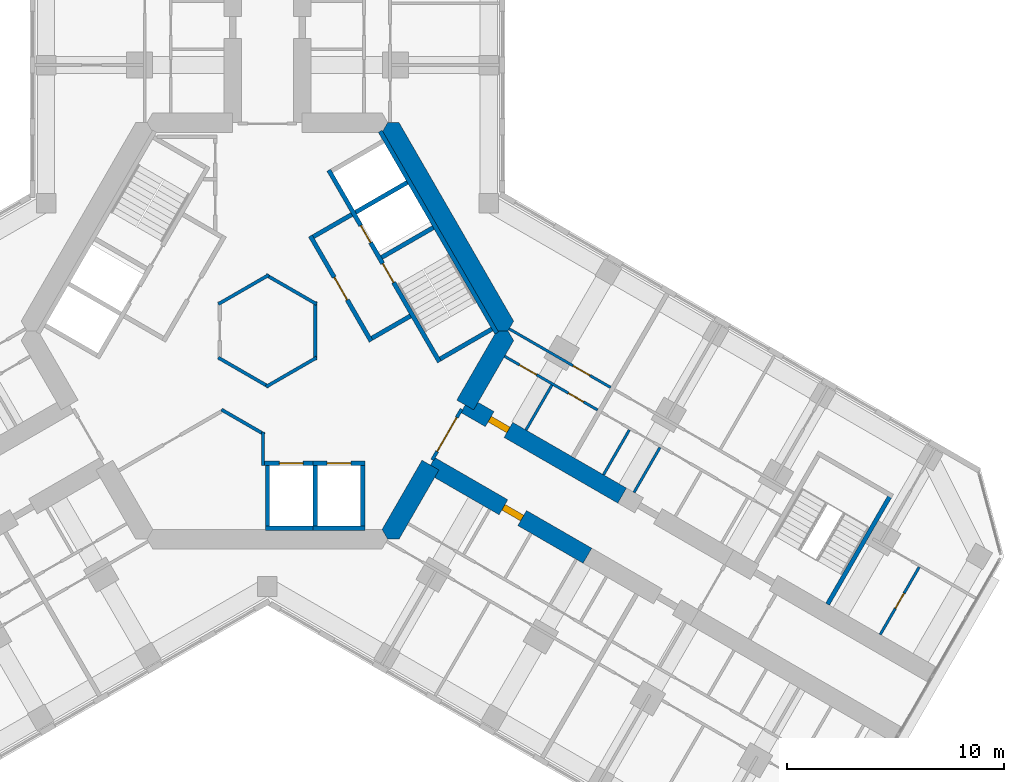
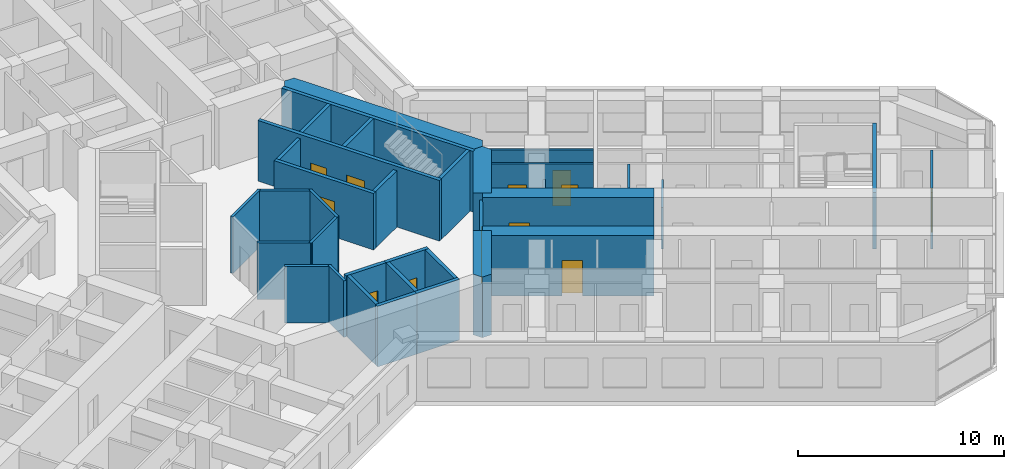
# One storey, part 15 of 20: 35 walls, 12 doors, 12 openings.
"""IFC4 building model written with IfcOpenShell, lengths in metres."""

from ifc_helpers import new_model, si_unit, direction, frame, frame_2d, origin, place, context, subcontext, project, spatial, polyline, rectangle, outline, extrude, material, layer, layer_set, type_object, element, fill, save


model = new_model("IFC4")

# Units and contexts
model_context = context("Model", 3, precision=1e-05, world=origin(), true_north=direction((0.0, 1.0)))
body_context = subcontext(model_context, "Body", "Model", "MODEL_VIEW")
ifc_project = project(units=[si_unit("LENGTHUNIT", "METRE"), si_unit("AREAUNIT", "SQUARE_METRE"), si_unit("VOLUMEUNIT", "CUBIC_METRE"), si_unit("PLANEANGLEUNIT", "RADIAN"), si_unit("MASSUNIT", "GRAM", prefix="KILO")], contexts=[model_context])

# Site, building, storey
site_placement = place(None, origin())
site = spatial("IfcSite", under=ifc_project, at=site_placement, CompositionType="ELEMENT")
building_placement = place(site_placement, origin())
building = spatial("IfcBuilding", under=site, at=building_placement, Name="Kosmar Iwan School Tower", CompositionType="ELEMENT")
storey_placement = place(building_placement, frame((0.0, 0.0, 179.60009765625)))
storey = spatial("IfcBuildingStorey", under=building, at=storey_placement, Name="L45", CompositionType="ELEMENT", Elevation=179.60009765625)

# Walls
ifc_material_1 = material(Name="Gypsum board on steel studs, fire-rated", Category="steel")
ifc_layer_1 = layer(ifc_material_1, 0.14990234375)
ifc_layer_set_1 = layer_set([ifc_layer_1], Name="Core room partition 150")
wall_type_1 = type_object("IfcWallType", Name="Core room partition 150", PredefinedType="PARTITIONING", material=ifc_layer_set_1)
wall_1_placement = place(storey_placement, frame((-2.114990234375, -3.628662109375, 0.0), z_axis=(0.0, 0.0, 1.0), x_axis=(0.866039769408, -0.499975117185, 0.0)))
element("IfcWall", 1, at=wall_1_placement, inside=storey, type_object=wall_type_1, Name="Core room partition L45-CW6", PredefinedType="PARTITIONING", context=body_context, shape_type="SweptSolid", body=[
    extrude(rectangle(XDim=2.2861328125, YDim=0.14990234375, at=frame_2d((1.14306640625, 0.0))), origin(), (0.0, 0.0, 1.0), 3.349853515625),
])
wall_2_placement = place(storey_placement, frame((-0.199951171875, -4.6591796875, 0.0), z_axis=(0.0, 0.0, 1.0), x_axis=(0.0, -1.0, 0.0)))
element("IfcWall", 2, at=wall_2_placement, inside=storey, type_object=wall_type_1, Name="Core room partition L45-CW7", PredefinedType="PARTITIONING", context=body_context, shape_type="SweptSolid", body=[
    extrude(rectangle(XDim=1.540771484375, YDim=0.14990234375, at=frame_2d((0.7705078125, 0.0))), origin(), (0.0, 0.0, 1.0), 3.349853515625),
])
for number, where, z_axis, x_axis, name in (
    (3, (2.264892578125, -1.232666015625, 0.0), (0.0, 0.0, 1.0), (-0.866011792348, -0.500023574959, 0.0), "Core room partition L45-CW8"),
    (4, (0.06494140625, -2.577880859375, 0.0), (0.0, 0.0, 1.0), (-0.866011792348, 0.500023574959, 0.0), "Core room partition L45-CW9"),
    (5, (-2.264892578125, 1.232666015625, 0.0), (0.0, 0.0, 1.0), (0.866011792348, 0.500023574959, 0.0), "Core room partition L45-CW11"),
    (6, (-0.06494140625, 2.577880859375, 0.0), (0.0, 0.0, 1.0), (0.866011792348, -0.500023574959, 0.0), "Core room partition L45-CW12"),
):
    element("IfcWall", number, at=place(storey_placement, frame(where, z_axis=z_axis, x_axis=x_axis)), inside=storey, type_object=wall_type_1, Name=name, PredefinedType="PARTITIONING", context=body_context, shape_type="SweptSolid", body=[
        extrude(rectangle(XDim=2.690185546875, YDim=0.14990234375, at=frame_2d((1.34521484375, 0.0))), origin(), (0.0, 0.0, 1.0), 3.349853515625),
    ])
wall_3_placement = place(storey_placement, frame((2.199951171875, 1.34521484375, 0.0), z_axis=(0.0, 0.0, 1.0), x_axis=(0.0, -1.0, 0.0)))
element("IfcWall", 7, at=wall_3_placement, inside=storey, type_object=wall_type_1, Name="Core room partition L45-CW13", PredefinedType="PARTITIONING", context=body_context, shape_type="SweptSolid", body=[
    extrude(rectangle(XDim=2.6904296875, YDim=0.14990234375, at=frame_2d((1.34521484375, 0.0))), origin(), (0.0, 0.0, 1.0), 3.349853515625),
])
ifc_material_2 = material(Name="Concrete C50/60", Category="concrete")
ifc_layer_2 = layer(ifc_material_2, 0.89990234375)
ifc_layer_set_2 = layer_set([ifc_layer_2], Name="Core wall 900")
wall_type_2 = type_object("IfcWallType", Name="Core wall 900", PredefinedType="SHEAR", material=ifc_layer_set_2)
wall_4_placement = place(storey_placement, origin())
element("IfcWall", 8, at=wall_4_placement, inside=storey, type_object=wall_type_2, Name="Core wall F030", PredefinedType="SHEAR", context=body_context, shape_type="SweptSolid", body=[
    extrude(outline(polyline([(10.5654296875, 0.0), (11.085205078125, 0.0), (11.344970703125, 0.449951171875), (6.062255859375, 9.60009765625), (5.54248046875, 9.60009765625), (5.28271484375, 9.14990234375), (10.5654296875, 0.0)])), origin(), (0.0, 0.0, 1.0), 3.599853515625),
])
wall_5_placement = place(storey_placement, origin())
element("IfcWall", 9, at=wall_5_placement, inside=storey, type_object=wall_type_2, Name="Core wall F330a", PredefinedType="SHEAR", context=body_context, shape_type="SweptSolid", body=[
    extrude(outline(polyline([(5.54248046875, -9.60009765625), (6.062255859375, -9.60009765625), (7.903564453125, -6.41064453125), (7.1240234375, -5.960693359375), (5.28271484375, -9.14990234375), (5.54248046875, -9.60009765625)])), origin(), (0.0, 0.0, 1.0), 3.599853515625),
])
wall_6_placement = place(storey_placement, origin())
element("IfcWall", 10, at=wall_6_placement, inside=storey, type_object=wall_type_2, Name="Core wall F330b", PredefinedType="SHEAR", context=body_context, shape_type="SweptSolid", body=[
    extrude(outline(polyline([(9.503662109375, -3.639404296875), (11.344970703125, -0.449951171875), (11.085205078125, 0.0), (10.5654296875, 0.0), (8.72412109375, -3.189453125), (9.503662109375, -3.639404296875)])), origin(), (0.0, 0.0, 1.0), 3.599853515625),
])

# Wall, opening, door
ifc_material_3 = material(Name="Concrete C50/60", Category="concrete")
ifc_layer_3 = layer(ifc_material_3, 0.800048828125)
ifc_layer_set_3 = layer_set([ifc_layer_3], Name="Corridor buttress wall 800")
wall_type_3 = type_object("IfcWallType", Name="Corridor buttress wall 800", PredefinedType="SHEAR", material=ifc_layer_set_3)
wall_7_placement = place(storey_placement, frame((9.11376953125, -3.414306640625, 0.0), z_axis=(0.0, 0.0, 1.0), x_axis=(0.866026859388, -0.499997478812, 0.0)))
wall_7 = element("IfcWall", 11, at=wall_7_placement, inside=storey, type_object=wall_type_3, Name="Corridor wall CL", PredefinedType="SHEAR", context=body_context, shape_type="SweptSolid", body=[
    extrude(rectangle(XDim=8.35009765625, YDim=0.800048828125, at=frame_2d((4.175048828125, 0.0))), origin(), (0.0, 0.0, 1.0), 3.599853515625),
])
opening_1_placement = place(wall_7_placement, frame((1.300048828125, 0.0, 0.0)))
opening_1 = element("IfcOpeningElement", 12, at=opening_1_placement, cuts=wall_7, Name="Opening D1", PredefinedType="OPENING", context=body_context, shape_type="SweptSolid", body=[
    extrude(rectangle(XDim=1.0, YDim=2.10009765625, at=frame_2d((0.5, 1.050048828125))), frame((0.0, 0.412109375, 0.0), z_axis=(0.0, -1.0, 0.0), x_axis=(1.0, 0.0, 0.0)), (0.0, 0.0, 1.0), 0.823974609375),
])
ifc_material_4 = material(Name="Timber fire door in steel frame", Category="steel")
door_type_1 = type_object("IfcDoorType", Name="Flat entrance door 1000x2100", OperationType="SINGLE_SWING_LEFT", PredefinedType="DOOR", material=ifc_material_4)
door_1_placement = place(opening_1_placement, origin())
door_1 = element("IfcDoor", 13, at=door_1_placement, inside=storey, type_object=door_type_1, Name="Flat L45-CL1 entrance door", OperationType="SINGLE_SWING_RIGHT", OverallHeight=2.10009765625, OverallWidth=1.0, PredefinedType="DOOR", context=body_context, shape_type="SweptSolid", body=[
    extrude(rectangle(XDim=1.0, YDim=2.10009765625, at=frame_2d((0.5, 1.050048828125))), frame((0.0, 0.14990234375, 0.0), z_axis=(0.0, -1.0, 0.0), x_axis=(1.0, 0.0, 0.0)), (0.0, 0.0, 1.0), 0.300048828125),
])
fill(opening_1, door_1)

wall_8_placement = place(storey_placement, frame((7.513916015625, -6.185546875, 0.0), z_axis=(0.0, 0.0, 1.0), x_axis=(0.866019549707, -0.500010139422, 0.0)))
wall_8 = element("IfcWall", 14, at=wall_8_placement, inside=storey, type_object=wall_type_3, Name="Corridor wall CR", PredefinedType="SHEAR", context=body_context, shape_type="SweptSolid", body=[
    extrude(rectangle(XDim=8.349853515625, YDim=0.800048828125, at=frame_2d((4.1748046875, 0.0))), origin(), (0.0, 0.0, 1.0), 3.599853515625),
])
opening_2_placement = place(wall_8_placement, frame((3.8798828125, 0.0, 0.0)))
opening_2 = element("IfcOpeningElement", 15, at=opening_2_placement, cuts=wall_8, Name="Opening D1", PredefinedType="OPENING", context=body_context, shape_type="SweptSolid", body=[
    extrude(rectangle(XDim=1.0, YDim=2.10009765625, at=frame_2d((0.5, 1.050048828125))), frame((0.0, 0.412109375, 0.0), z_axis=(0.0, -1.0, 0.0), x_axis=(1.0, 0.0, 0.0)), (0.0, 0.0, 1.0), 0.823974609375),
])
door_2_placement = place(opening_2_placement, origin())
door_2 = element("IfcDoor", 16, at=door_2_placement, inside=storey, type_object=door_type_1, Name="Flat L45-CR1 entrance door", OperationType="SINGLE_SWING_RIGHT", OverallHeight=2.10009765625, OverallWidth=1.0, PredefinedType="DOOR", context=body_context, shape_type="SweptSolid", body=[
    extrude(rectangle(XDim=1.0, YDim=2.10009765625, at=frame_2d((0.5, 1.050048828125))), frame((0.0, 0.14990234375, 0.0), z_axis=(0.0, -1.0, 0.0), x_axis=(1.0, 0.0, 0.0)), (0.0, 0.0, 1.0), 0.300048828125),
])
fill(opening_2, door_2)

ifc_material_5 = material(Name="Steel framed glazed screen", Category="steel")
ifc_layer_4 = layer(ifc_material_5, 0.14990234375)
ifc_layer_set_4 = layer_set([ifc_layer_4], Name="Corridor screen wall 150")
wall_type_4 = type_object("IfcWallType", Name="Corridor screen wall 150", PredefinedType="PARTITIONING", material=ifc_layer_set_4)
wall_9_placement = place(storey_placement, frame((7.595458984375, -5.944091796875, 0.0), z_axis=(0.0, 0.0, 1.0), x_axis=(0.500048589285, 0.86599734893, 0.0)))
wall_9 = element("IfcWall", 17, at=wall_9_placement, inside=storey, type_object=wall_type_4, Name="Corridor screen C L45", PredefinedType="PARTITIONING", context=body_context, shape_type="SweptSolid", body=[
    extrude(rectangle(XDim=2.699951171875, YDim=0.14990234375, at=frame_2d((1.35009765625, 0.0))), origin(), (0.0, 0.0, 1.0), 3.349853515625),
])
opening_3_placement = place(wall_9_placement, frame((0.449951171875, 0.0, 0.0)))
opening_3 = element("IfcOpeningElement", 18, at=opening_3_placement, cuts=wall_9, Name="Opening D9", PredefinedType="OPENING", context=body_context, shape_type="SweptSolid", body=[
    extrude(rectangle(XDim=1.800048828125, YDim=2.10009765625, at=frame_2d((0.89990234375, 1.050048828125))), frame((0.0, 0.0869140625, 0.0), z_axis=(0.0, -1.0, 0.0), x_axis=(1.0, 0.0, 0.0)), (0.0, 0.0, 1.0), 0.173828125),
])
ifc_material_6 = material(Name="Steel framed glazed smoke door", Category="steel")
door_type_2 = type_object("IfcDoorType", Name="Corridor smoke door pair 1800x2100", OperationType="DOUBLE_DOOR_DOUBLE_SWING", PredefinedType="DOOR", material=ifc_material_6)
door_3_placement = place(opening_3_placement, origin())
door_3 = element("IfcDoor", 19, at=door_3_placement, inside=storey, type_object=door_type_2, Name="Corridor doors C L45", OperationType="DOUBLE_DOOR_DOUBLE_SWING", OverallHeight=2.10009765625, OverallWidth=1.800048828125, PredefinedType="DOOR", context=body_context, shape_type="SweptSolid", body=[
    extrude(rectangle(XDim=1.800048828125, YDim=2.10009765625, at=frame_2d((0.89990234375, 1.050048828125))), frame((0.0, 0.02490234375, 0.0), z_axis=(0.0, -1.0, 0.0), x_axis=(1.0, 0.0, 0.0)), (0.0, 0.0, 1.0), 0.050048828125),
])
fill(opening_3, door_3)

# Wall, openings, doors
ifc_material_7 = material(Name="Gypsum board on steel studs", Category="steel")
ifc_layer_5 = layer(ifc_material_7, 0.1201171875)
ifc_layer_set_5 = layer_set([ifc_layer_5], Name="Dwelling partition 120")
wall_type_5 = type_object("IfcWallType", Name="Dwelling partition 120", PredefinedType="PARTITIONING", material=ifc_layer_set_5)
wall_10_placement = place(storey_placement, frame((10.928466796875, -1.171142578125, 0.0), z_axis=(0.0, 0.0, 1.0), x_axis=(0.866018855338, -0.500011342071, 0.0)))
wall_10 = element("IfcWall", 20, at=wall_10_placement, inside=storey, type_object=wall_type_5, Name="Partition L45-CL1-W1", PredefinedType="PARTITIONING", context=body_context, shape_type="SweptSolid", body=[
    extrude(rectangle(XDim=4.9501953125, YDim=0.1201171875, at=frame_2d((2.47509765625, 0.0))), origin(), (0.0, 0.0, 1.0), 3.349853515625),
])
opening_4_placement = place(wall_10_placement, frame((0.800048828125, 0.0, 0.0)))
opening_4 = element("IfcOpeningElement", 21, at=opening_4_placement, cuts=wall_10, Name="Opening D2", PredefinedType="OPENING", context=body_context, shape_type="SweptSolid", body=[
    extrude(rectangle(XDim=0.89990234375, YDim=2.10009765625, at=frame_2d((0.449951171875, 1.050048828125))), frame((0.0, 0.072021484375, 0.0), z_axis=(0.0, -1.0, 0.0), x_axis=(1.0, 0.0, 0.0)), (0.0, 0.0, 1.0), 0.14404296875),
])
opening_5_placement = place(wall_10_placement, frame((3.39990234375, 0.0, 0.0)))
opening_5 = element("IfcOpeningElement", 22, at=opening_5_placement, cuts=wall_10, Name="Opening D3", PredefinedType="OPENING", context=body_context, shape_type="SweptSolid", body=[
    extrude(rectangle(XDim=0.800048828125, YDim=2.10009765625, at=frame_2d((0.39990234375, 1.050048828125))), frame((0.0, 0.072021484375, 0.0), z_axis=(0.0, -1.0, 0.0), x_axis=(1.0, 0.0, 0.0)), (0.0, 0.0, 1.0), 0.14404296875),
])
ifc_material_8 = material(Name="Timber door in timber frame", Category="wood")
door_type_3 = type_object("IfcDoorType", Name="Internal door 900x2100", OperationType="SINGLE_SWING_LEFT", PredefinedType="DOOR", material=ifc_material_8)
door_4_placement = place(opening_4_placement, origin())
door_4 = element("IfcDoor", 23, at=door_4_placement, inside=storey, type_object=door_type_3, Name="Entrance hall door L45-CL1-S1", OperationType="SINGLE_SWING_LEFT", OverallHeight=2.10009765625, OverallWidth=0.89990234375, PredefinedType="DOOR", context=body_context, shape_type="SweptSolid", body=[
    extrude(rectangle(XDim=0.89990234375, YDim=2.10009765625, at=frame_2d((0.449951171875, 1.050048828125))), frame((0.0, 0.02490234375, 0.0), z_axis=(0.0, -1.0, 0.0), x_axis=(1.0, 0.0, 0.0)), (0.0, 0.0, 1.0), 0.050048828125),
])
fill(opening_4, door_4)
ifc_material_9 = material(Name="Timber door in timber frame", Category="wood")
door_type_4 = type_object("IfcDoorType", Name="Sanitary room door 800x2100", OperationType="SINGLE_SWING_LEFT", PredefinedType="DOOR", material=ifc_material_9)
door_5_placement = place(opening_5_placement, origin())
door_5 = element("IfcDoor", 24, at=door_5_placement, inside=storey, type_object=door_type_4, Name="Bathroom door L45-CL1-S2", OperationType="SINGLE_SWING_RIGHT", OverallHeight=2.10009765625, OverallWidth=0.800048828125, PredefinedType="DOOR", context=body_context, shape_type="SweptSolid", body=[
    extrude(rectangle(XDim=0.800048828125, YDim=2.10009765625, at=frame_2d((0.39990234375, 1.050048828125))), frame((0.0, 0.02490234375, 0.0), z_axis=(0.0, -1.0, 0.0), x_axis=(1.0, 0.0, 0.0)), (0.0, 0.0, 1.0), 0.050048828125),
])
fill(opening_5, door_5)

# Wall, opening, door
wall_11_placement = place(storey_placement, frame((11.138916015625, 0.093017578125, 0.0), z_axis=(0.0, 0.0, 1.0), x_axis=(0.866028230842, -0.499995103361, 0.0)))
wall_11 = element("IfcWall", 25, at=wall_11_placement, inside=storey, type_object=wall_type_5, Name="Partition L45-CL1-W2", PredefinedType="PARTITIONING", context=body_context, shape_type="SweptSolid", body=[
    extrude(rectangle(XDim=5.39990234375, YDim=0.1201171875, at=frame_2d((2.699951171875, 0.0))), origin(), (0.0, 0.0, 1.0), 3.349853515625),
])
opening_6_placement = place(wall_11_placement, frame((3.39990234375, 0.0, 0.0)))
opening_6 = element("IfcOpeningElement", 26, at=opening_6_placement, cuts=wall_11, Name="Opening D2", PredefinedType="OPENING", context=body_context, shape_type="SweptSolid", body=[
    extrude(rectangle(XDim=0.89990234375, YDim=2.10009765625, at=frame_2d((0.449951171875, 1.050048828125))), frame((0.0, 0.072021484375, 0.0), z_axis=(0.0, -1.0, 0.0), x_axis=(1.0, 0.0, 0.0)), (0.0, 0.0, 1.0), 0.14404296875),
])
door_6_placement = place(opening_6_placement, origin())
door_6 = element("IfcDoor", 27, at=door_6_placement, inside=storey, type_object=door_type_3, Name="Studio living room and kitchen door L45-CL1-F1", OperationType="SINGLE_SWING_RIGHT", OverallHeight=2.10009765625, OverallWidth=0.89990234375, PredefinedType="DOOR", context=body_context, shape_type="SweptSolid", body=[
    extrude(rectangle(XDim=0.89990234375, YDim=2.10009765625, at=frame_2d((0.449951171875, 1.050048828125))), frame((0.0, 0.02490234375, 0.0), z_axis=(0.0, -1.0, 0.0), x_axis=(1.0, 0.0, 0.0)), (0.0, 0.0, 1.0), 0.050048828125),
])
fill(opening_6, door_6)

# Walls
wall_12_placement = place(storey_placement, frame((11.911865234375, -4.56787109375, 0.0), z_axis=(0.0, 0.0, 1.0), x_axis=(0.500017192868, 0.86601547725, 0.0)))
element("IfcWall", 28, at=wall_12_placement, inside=storey, type_object=wall_type_5, Name="Partition L45-CL1-Y1", PredefinedType="PARTITIONING", context=body_context, shape_type="SweptSolid", body=[
    extrude(rectangle(XDim=2.39013671875, YDim=0.1201171875, at=frame_2d((1.195068359375, 0.0))), origin(), (0.0, 0.0, 1.0), 2.449951171875),
])
wall_13_placement = place(storey_placement, frame((15.484375, -6.63037109375, 0.0), z_axis=(0.0, 0.0, 1.0), x_axis=(0.499940577336, 0.866059708757, 0.0)))
element("IfcWall", 29, at=wall_13_placement, inside=storey, type_object=wall_type_5, Name="Partition L45-CL2-Y1", PredefinedType="PARTITIONING", context=body_context, shape_type="SweptSolid", body=[
    extrude(rectangle(XDim=2.389892578125, YDim=0.1201171875, at=frame_2d((1.19482421875, 0.0))), origin(), (0.0, 0.0, 1.0), 3.349853515625),
])
wall_14_placement = place(storey_placement, frame((16.8916015625, -7.44287109375, 0.0), z_axis=(0.0, 0.0, 1.0), x_axis=(0.500017192868, 0.86601547725, 0.0)))
element("IfcWall", 30, at=wall_14_placement, inside=storey, type_object=wall_type_5, Name="Partition L45-CL2-Y2", PredefinedType="PARTITIONING", context=body_context, shape_type="SweptSolid", body=[
    extrude(rectangle(XDim=2.39013671875, YDim=0.1201171875, at=frame_2d((1.195068359375, 0.0))), origin(), (0.0, 0.0, 1.0), 2.449951171875),
])

# Wall, opening, door
wall_15_placement = place(storey_placement, frame((28.236572265625, -13.992919921875, 0.0), z_axis=(0.0, 0.0, 1.0), x_axis=(0.499971658126, 0.866041766355, 0.0)))
wall_15 = element("IfcWall", 31, at=wall_15_placement, inside=storey, type_object=wall_type_5, Name="Partition L45-CL2-TY", PredefinedType="PARTITIONING", context=body_context, shape_type="SweptSolid", body=[
    extrude(rectangle(XDim=3.590087890625, YDim=0.1201171875, at=frame_2d((1.794921875, 0.0))), origin(), (0.0, 0.0, 1.0), 3.349853515625),
])
opening_7_placement = place(wall_15_placement, frame((1.39501953125, 0.0, 0.0)))
opening_7 = element("IfcOpeningElement", 32, at=opening_7_placement, cuts=wall_15, Name="Opening D3", PredefinedType="OPENING", context=body_context, shape_type="SweptSolid", body=[
    extrude(rectangle(XDim=0.800048828125, YDim=2.10009765625, at=frame_2d((0.39990234375, 1.050048828125))), frame((0.0, 0.072021484375, 0.0), z_axis=(0.0, -1.0, 0.0), x_axis=(1.0, 0.0, 0.0)), (0.0, 0.0, 1.0), 0.14404296875),
])
door_7_placement = place(opening_7_placement, origin())
door_7 = element("IfcDoor", 33, at=door_7_placement, inside=storey, type_object=door_type_4, Name="Shower room door L45-CL2-T4", OperationType="SINGLE_SWING_LEFT", OverallHeight=2.10009765625, OverallWidth=0.800048828125, PredefinedType="DOOR", context=body_context, shape_type="SweptSolid", body=[
    extrude(rectangle(XDim=0.800048828125, YDim=2.10009765625, at=frame_2d((0.39990234375, 1.050048828125))), frame((0.0, 0.02490234375, 0.0), z_axis=(0.0, -1.0, 0.0), x_axis=(1.0, 0.0, 0.0)), (0.0, 0.0, 1.0), 0.050048828125),
])
fill(opening_7, door_7)

# Wall
ifc_material_10 = material(Name="Concrete C35/45", Category="concrete")
ifc_layer_6 = layer(ifc_material_10, 0.199951171875)
ifc_layer_set_6 = layer_set([ifc_layer_6], Name="Escape stair wall 200")
wall_type_6 = type_object("IfcWallType", Name="Escape stair wall 200", PredefinedType="SHEAR", material=ifc_layer_set_6)
wall_16_placement = place(storey_placement, frame((25.8115234375, -12.593017578125, 0.0), z_axis=(0.0, 0.0, 1.0), x_axis=(0.500019744199, 0.866014004166, 0.0)))
element("IfcWall", 34, at=wall_16_placement, inside=storey, type_object=wall_type_6, Name="Stair WS3 wall", PredefinedType="SHEAR", context=body_context, shape_type="SweptSolid", body=[
    extrude(rectangle(XDim=5.900146484375, YDim=0.199951171875, at=frame_2d((2.9501953125, 0.0))), origin(), (0.0, 0.0, 1.0), 3.329833984375),
])

# Wall, opening, door
ifc_material_11 = material(Name="Concrete block masonry", Category="masonry")
ifc_layer_7 = layer(ifc_material_11, 0.199951171875)
ifc_layer_set_7 = layer_set([ifc_layer_7], Name="Fire lobby wall 200")
wall_type_7 = type_object("IfcWallType", Name="Fire lobby wall 200", PredefinedType="PARTITIONING", material=ifc_layer_set_7)
wall_17_placement = place(storey_placement, frame((4.777587890625, -0.474853515625, 0.0), z_axis=(0.0, 0.0, 1.0), x_axis=(-0.500016814911, 0.866015695474, 0.0)))
wall_17 = element("IfcWall", 35, at=wall_17_placement, inside=storey, type_object=wall_type_7, Name="Firefighting lobby wall ST1", PredefinedType="PARTITIONING", context=body_context, shape_type="SweptSolid", body=[
    extrude(rectangle(XDim=5.599853515625, YDim=0.199951171875, at=frame_2d((2.7998046875, 0.0))), origin(), (0.0, 0.0, 1.0), 3.349853515625),
])
opening_8_placement = place(wall_17_placement, frame((2.199951171875, 0.0, 0.0)))
opening_8 = element("IfcOpeningElement", 36, at=opening_8_placement, cuts=wall_17, Name="Opening D7", PredefinedType="OPENING", context=body_context, shape_type="SweptSolid", body=[
    extrude(rectangle(XDim=1.199951171875, YDim=2.10009765625, at=frame_2d((0.60009765625, 1.050048828125))), frame((0.0, 0.112060546875, 0.0), z_axis=(0.0, -1.0, 0.0), x_axis=(1.0, 0.0, 0.0)), (0.0, 0.0, 1.0), 0.223876953125),
])
ifc_material_12 = material(Name="Steel fire door", Category="steel")
door_type_5 = type_object("IfcDoorType", Name="Fire lobby door 1200x2100", OperationType="SINGLE_SWING_LEFT", PredefinedType="DOOR", material=ifc_material_12)
door_8_placement = place(opening_8_placement, origin())
door_8 = element("IfcDoor", 37, at=door_8_placement, inside=storey, type_object=door_type_5, Name="Firefighting lobby door ST1 L45", OperationType="SINGLE_SWING_LEFT", OverallHeight=2.10009765625, OverallWidth=1.199951171875, PredefinedType="DOOR", context=body_context, shape_type="SweptSolid", body=[
    extrude(rectangle(XDim=1.199951171875, YDim=2.10009765625, at=frame_2d((0.60009765625, 1.050048828125))), frame((0.0, 0.02490234375, 0.0), z_axis=(0.0, -1.0, 0.0), x_axis=(1.0, 0.0, 0.0)), (0.0, 0.0, 1.0), 0.050048828125),
])
fill(opening_8, door_8)

# Walls
wall_18_placement = place(storey_placement, frame((4.814208984375, -0.33837890625, 0.0), z_axis=(0.0, 0.0, 1.0), x_axis=(0.865969381856, 0.500097020274, 0.0)))
element("IfcWall", 38, at=wall_18_placement, inside=storey, type_object=wall_type_7, Name="Firefighting lobby wall ST1", PredefinedType="PARTITIONING", context=body_context, shape_type="SweptSolid", body=[
    extrude(rectangle(XDim=2.0498046875, YDim=0.199951171875, at=frame_2d((1.02490234375, 0.0))), origin(), (0.0, 0.0, 1.0), 3.349853515625),
])
wall_19_placement = place(storey_placement, frame((2.114013671875, 4.33837890625, 0.0), z_axis=(0.0, 0.0, 1.0), x_axis=(0.866050731258, 0.499956128963, 0.0)))
element("IfcWall", 39, at=wall_19_placement, inside=storey, type_object=wall_type_7, Name="Firefighting lobby wall ST1", PredefinedType="PARTITIONING", context=body_context, shape_type="SweptSolid", body=[
    extrude(rectangle(XDim=2.050048828125, YDim=0.199951171875, at=frame_2d((1.02490234375, 0.0))), origin(), (0.0, 0.0, 1.0), 3.349853515625),
])

# Wall, openings, doors
ifc_material_13 = material(Name="Concrete C50/60", Category="concrete")
ifc_layer_8 = layer(ifc_material_13, 0.199951171875)
ifc_layer_set_8 = layer_set([ifc_layer_8], Name="Lift shaft wall 200")
wall_type_8 = type_object("IfcWallType", Name="Lift shaft wall 200", PredefinedType="SHEAR", material=ifc_layer_set_8)
wall_20_placement = place(storey_placement, frame((7.926025390625, -1.42822265625, 0.0), z_axis=(0.0, 0.0, 1.0), x_axis=(-0.499998023675, 0.866026544813, 0.0)))
wall_20 = element("IfcWall", 40, at=wall_20_placement, inside=storey, type_object=wall_type_8, Name="Lift and stair front wall AC", PredefinedType="SHEAR", context=body_context, shape_type="SweptSolid", body=[
    extrude(rectangle(XDim=10.19970703125, YDim=0.199951171875, at=frame_2d((5.099853515625, 0.0))), origin(), (0.0, 0.0, 1.0), 3.599853515625),
])
opening_9_placement = place(wall_20_placement, frame((6.35009765625, 0.0, 0.0)))
opening_9 = element("IfcOpeningElement", 41, at=opening_9_placement, cuts=wall_20, Name="Opening LD2", PredefinedType="OPENING", context=body_context, shape_type="SweptSolid", body=[
    extrude(rectangle(XDim=0.89990234375, YDim=2.10009765625, at=frame_2d((0.449951171875, 1.050048828125))), frame((0.0, 0.112060546875, 0.0), z_axis=(0.0, -1.0, 0.0), x_axis=(1.0, 0.0, 0.0)), (0.0, 0.0, 1.0), 0.223876953125),
])
opening_10_placement = place(wall_20_placement, frame((4.22998046875, 0.0, 0.0)))
opening_10 = element("IfcOpeningElement", 42, at=opening_10_placement, cuts=wall_20, Name="Opening D6", PredefinedType="OPENING", context=body_context, shape_type="SweptSolid", body=[
    extrude(rectangle(XDim=1.0, YDim=2.10009765625, at=frame_2d((0.5, 1.050048828125))), frame((0.0, 0.112060546875, 0.0), z_axis=(0.0, -1.0, 0.0), x_axis=(1.0, 0.0, 0.0)), (0.0, 0.0, 1.0), 0.223876953125),
])
ifc_material_14 = material(Name="Stainless steel sliding lift door", Category="steel")
door_type_6 = type_object("IfcDoorType", Name="Firefighting lift landing door 900x2100", OperationType="SLIDING_TO_LEFT", PredefinedType="DOOR", material=ifc_material_14)
door_9_placement = place(opening_9_placement, origin())
door_9 = element("IfcDoor", 43, at=door_9_placement, inside=storey, type_object=door_type_6, Name="Lift FF1 landing door L45", OperationType="SLIDING_TO_LEFT", OverallHeight=2.10009765625, OverallWidth=0.89990234375, PredefinedType="DOOR", context=body_context, shape_type="SweptSolid", body=[
    extrude(rectangle(XDim=0.89990234375, YDim=2.10009765625, at=frame_2d((0.449951171875, 1.050048828125))), frame((0.0, 0.02490234375, 0.0), z_axis=(0.0, -1.0, 0.0), x_axis=(1.0, 0.0, 0.0)), (0.0, 0.0, 1.0), 0.050048828125),
])
fill(opening_9, door_9)
ifc_material_15 = material(Name="Steel fire door", Category="steel")
door_type_7 = type_object("IfcDoorType", Name="Stair door 1000x2100", OperationType="SINGLE_SWING_LEFT", PredefinedType="DOOR", material=ifc_material_15)
door_10_placement = place(opening_10_placement, origin())
door_10 = element("IfcDoor", 44, at=door_10_placement, inside=storey, type_object=door_type_7, Name="Stair ST1 door L45", OperationType="SINGLE_SWING_LEFT", OverallHeight=2.10009765625, OverallWidth=1.0, PredefinedType="DOOR", context=body_context, shape_type="SweptSolid", body=[
    extrude(rectangle(XDim=1.0, YDim=2.10009765625, at=frame_2d((0.5, 1.050048828125))), frame((0.0, 0.02490234375, 0.0), z_axis=(0.0, -1.0, 0.0), x_axis=(1.0, 0.0, 0.0)), (0.0, 0.0, 1.0), 0.050048828125),
])
fill(opening_10, door_10)

# Walls
wall_21_placement = place(storey_placement, frame((10.5654296875, -0.10009765625, 0.0), z_axis=(0.0, 0.0, 1.0), x_axis=(-0.499999935134, 0.866025441235, 0.0)))
element("IfcWall", 45, at=wall_21_placement, inside=storey, type_object=wall_type_8, Name="Lift and stair back wall AC", PredefinedType="SHEAR", context=body_context, shape_type="SweptSolid", body=[
    extrude(rectangle(XDim=10.73876953125, YDim=0.199951171875, at=frame_2d((5.369384765625, 0.0))), origin(), (0.0, 0.0, 1.0), 3.599853515625),
])
wall_22_placement = place(storey_placement, frame((4.062744140625, 5.46337890625, 0.0), z_axis=(0.0, 0.0, 1.0), x_axis=(0.866027397988, 0.499996545922, 0.0)))
element("IfcWall", 46, at=wall_22_placement, inside=storey, type_object=wall_type_8, Name="Lift shaft wall AC 1", PredefinedType="SHEAR", context=body_context, shape_type="SweptSolid", body=[
    extrude(rectangle(XDim=2.75, YDim=0.199951171875, at=frame_2d((1.375, 0.0))), origin(), (0.0, 0.0, 1.0), 3.599853515625),
])

# Wall, opening, door
wall_23_placement = place(storey_placement, frame((-0.125, -6.10009765625, 0.0), z_axis=(0.0, 0.0, 1.0), x_axis=(1.0, 0.0, 0.0)))
wall_23 = element("IfcWall", 47, at=wall_23_placement, inside=storey, type_object=wall_type_8, Name="Lift and stair front wall BC", PredefinedType="SHEAR", context=body_context, shape_type="SweptSolid", body=[
    extrude(rectangle(XDim=2.22509765625, YDim=0.199951171875, at=frame_2d((1.112548828125, 0.0))), origin(), (0.0, 0.0, 1.0), 3.599853515625),
])
opening_11_placement = place(wall_23_placement, frame((0.675048828125, 0.0, 0.0)))
opening_11 = element("IfcOpeningElement", 48, at=opening_11_placement, cuts=wall_23, Name="Opening LD1", PredefinedType="OPENING", context=body_context, shape_type="SweptSolid", body=[
    extrude(rectangle(XDim=1.10009765625, YDim=2.10009765625, at=frame_2d((0.550048828125, 1.050048828125))), frame((0.0, 0.112060546875, 0.0), z_axis=(0.0, -1.0, 0.0), x_axis=(1.0, 0.0, 0.0)), (0.0, 0.0, 1.0), 0.223876953125),
])
ifc_material_16 = material(Name="Stainless steel sliding lift door", Category="steel")
door_type_8 = type_object("IfcDoorType", Name="Lift landing door 1100x2100", OperationType="SLIDING_TO_LEFT", PredefinedType="DOOR", material=ifc_material_16)
door_11_placement = place(opening_11_placement, origin())
door_11 = element("IfcDoor", 49, at=door_11_placement, inside=storey, type_object=door_type_8, Name="Lift PL3 landing door L45", OperationType="SLIDING_TO_LEFT", OverallHeight=2.10009765625, OverallWidth=1.10009765625, PredefinedType="DOOR", context=body_context, shape_type="SweptSolid", body=[
    extrude(rectangle(XDim=1.10009765625, YDim=2.10009765625, at=frame_2d((0.550048828125, 1.050048828125))), frame((0.0, 0.02490234375, 0.0), z_axis=(0.0, -1.0, 0.0), x_axis=(1.0, 0.0, 0.0)), (0.0, 0.0, 1.0), 0.050048828125),
])
fill(opening_11, door_11)

# Wall
wall_24_placement = place(storey_placement, frame((-0.10009765625, -9.10009765625, 0.0), z_axis=(0.0, 0.0, 1.0), x_axis=(1.0, 0.0, 0.0)))
element("IfcWall", 50, at=wall_24_placement, inside=storey, type_object=wall_type_8, Name="Lift and stair back wall BC", PredefinedType="SHEAR", context=body_context, shape_type="SweptSolid", body=[
    extrude(rectangle(XDim=2.2001953125, YDim=0.199951171875, at=frame_2d((1.10009765625, 0.0))), origin(), (0.0, 0.0, 1.0), 3.599853515625),
])

# Wall, opening, door
wall_25_placement = place(storey_placement, frame((2.10009765625, -6.10009765625, 0.0), z_axis=(0.0, 0.0, 1.0), x_axis=(1.0, 0.0, 0.0)))
wall_25 = element("IfcWall", 51, at=wall_25_placement, inside=storey, type_object=wall_type_8, Name="Lift and stair front wall BC", PredefinedType="SHEAR", context=body_context, shape_type="SweptSolid", body=[
    extrude(rectangle(XDim=2.39990234375, YDim=0.199951171875, at=frame_2d((1.199951171875, 0.0))), origin(), (0.0, 0.0, 1.0), 3.599853515625),
])
opening_12_placement = place(wall_25_placement, frame((0.64990234375, 0.0, 0.0)))
opening_12 = element("IfcOpeningElement", 52, at=opening_12_placement, cuts=wall_25, Name="Opening LD1", PredefinedType="OPENING", context=body_context, shape_type="SweptSolid", body=[
    extrude(rectangle(XDim=1.10009765625, YDim=2.10009765625, at=frame_2d((0.550048828125, 1.050048828125))), frame((0.0, 0.112060546875, 0.0), z_axis=(0.0, -1.0, 0.0), x_axis=(1.0, 0.0, 0.0)), (0.0, 0.0, 1.0), 0.223876953125),
])
door_12_placement = place(opening_12_placement, origin())
door_12 = element("IfcDoor", 53, at=door_12_placement, inside=storey, type_object=door_type_8, Name="Lift PL4 landing door L45", OperationType="SLIDING_TO_LEFT", OverallHeight=2.10009765625, OverallWidth=1.10009765625, PredefinedType="DOOR", context=body_context, shape_type="SweptSolid", body=[
    extrude(rectangle(XDim=1.10009765625, YDim=2.10009765625, at=frame_2d((0.550048828125, 1.050048828125))), frame((0.0, 0.02490234375, 0.0), z_axis=(0.0, -1.0, 0.0), x_axis=(1.0, 0.0, 0.0)), (0.0, 0.0, 1.0), 0.050048828125),
])
fill(opening_12, door_12)

# Walls
wall_26_placement = place(storey_placement, frame((2.10009765625, -9.10009765625, 0.0), z_axis=(0.0, 0.0, 1.0), x_axis=(1.0, 0.0, 0.0)))
element("IfcWall", 54, at=wall_26_placement, inside=storey, type_object=wall_type_8, Name="Lift and stair back wall BC", PredefinedType="SHEAR", context=body_context, shape_type="SweptSolid", body=[
    extrude(rectangle(XDim=2.39990234375, YDim=0.199951171875, at=frame_2d((1.199951171875, 0.0))), origin(), (0.0, 0.0, 1.0), 3.599853515625),
])
for number, where, z_axis, x_axis, name in (
    (55, (0.0, -6.199951171875, 0.0), (0.0, 0.0, 1.0), (0.0, -1.0, 0.0), "Lift shaft wall BC 0"),
    (56, (2.199951171875, -6.199951171875, 0.0), (0.0, 0.0, 1.0), (0.0, -1.0, 0.0), "Lift shaft wall BC 1"),
    (57, (4.39990234375, -6.199951171875, 0.0), (0.0, 0.0, 1.0), (0.0, -1.0, 0.0), "Lift shaft wall BC 2"),
):
    element("IfcWall", number, at=place(storey_placement, frame(where, z_axis=z_axis, x_axis=x_axis)), inside=storey, type_object=wall_type_8, Name=name, PredefinedType="SHEAR", context=body_context, shape_type="SweptSolid", body=[
        extrude(rectangle(XDim=2.800048828125, YDim=0.199951171875, at=frame_2d((1.39990234375, 0.0))), origin(), (0.0, 0.0, 1.0), 3.599853515625),
    ])
ifc_material_17 = material(Name="Concrete C50/60", Category="concrete")
ifc_layer_9 = layer(ifc_material_17, 0.199951171875)
ifc_layer_set_9 = layer_set([ifc_layer_9], Name="Stair enclosure wall 200")
wall_type_9 = type_object("IfcWallType", Name="Stair enclosure wall 200", PredefinedType="SHEAR", material=ifc_layer_set_9)
for number, where, z_axis, x_axis, name in (
    (58, (7.962646484375, -1.291748046875, 0.0), (0.0, 0.0, 1.0), (0.866027397988, 0.499996545922, 0.0), "Stair ST1 wall"),
    (59, (5.2626953125, 3.384765625, 0.0), (0.0, 0.0, 1.0), (0.866027397988, 0.499996545922, 0.0), "Stair ST1 wall"),
):
    element("IfcWall", number, at=place(storey_placement, frame(where, z_axis=z_axis, x_axis=x_axis)), inside=storey, type_object=wall_type_9, Name=name, PredefinedType="SHEAR", context=body_context, shape_type="SweptSolid", body=[
        extrude(rectangle(XDim=2.75, YDim=0.199951171875, at=frame_2d((1.375, 0.0))), origin(), (0.0, 0.0, 1.0), 3.599853515625),
    ])

save(model, "model.ifc")
